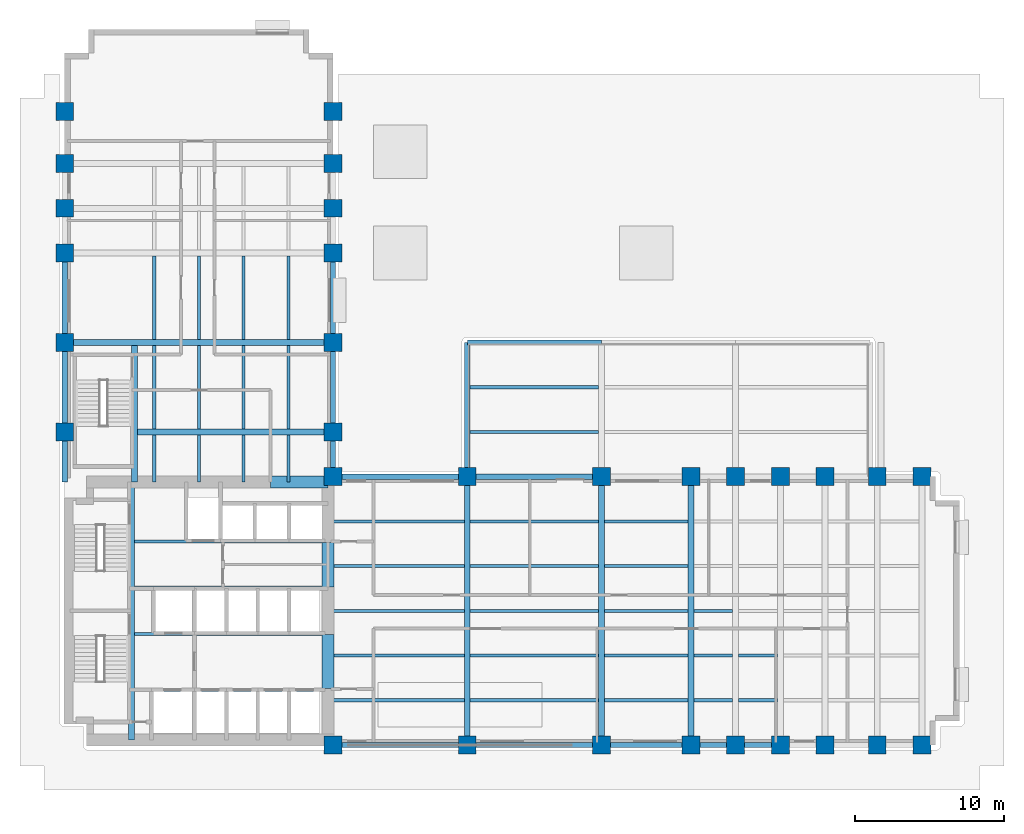
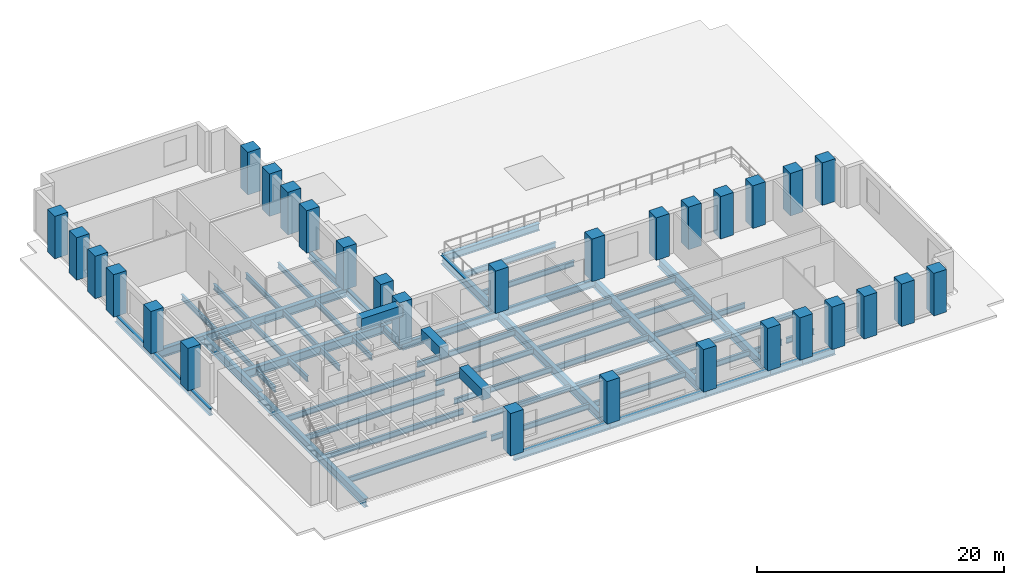
# One storey, part 1 of 9: 63 beams, 30 columns.
"""IFC4 building model written with IfcOpenShell, lengths in metres."""

from ifc_helpers import new_model, si_unit, direction, frame, origin, origin_2d, place, context, subcontext, project, spatial, rectangle, i_section, extrude, material, material_profile, profile_set, type_object, element, save


model = new_model("IFC4")

# Units and contexts
model_context = context("Model", 3, precision=1e-05, world=origin(), true_north=direction((0.0, 1.0)))
body_context = subcontext(model_context, "Body", "Model", "MODEL_VIEW")
ifc_project = project(units=[si_unit("LENGTHUNIT", "METRE"), si_unit("AREAUNIT", "SQUARE_METRE"), si_unit("VOLUMEUNIT", "CUBIC_METRE"), si_unit("PLANEANGLEUNIT", "RADIAN"), si_unit("MASSUNIT", "GRAM", prefix="KILO")], contexts=[model_context])

# Site, building, storey
site_placement = place(None, origin())
site = spatial("IfcSite", under=ifc_project, at=site_placement, CompositionType="ELEMENT")
building_placement = place(site_placement, origin())
building = spatial("IfcBuilding", under=site, at=building_placement, Name="Mawjdan Bourse Tower", CompositionType="ELEMENT")
storey_placement = place(building_placement, frame((0.0, 0.0, 21.60009765625)))
storey = spatial("IfcBuildingStorey", under=building, at=storey_placement, Name="L04", CompositionType="ELEMENT", Elevation=21.60009765625)

# Columns
ifc_material_1 = material(Name="Concrete C80/95", Category="concrete")
ifc_material_profile_1 = material_profile(ifc_material_1, rectangle(XDim=1.199951171875, YDim=1.199951171875, at=origin_2d()), Name="RC1200X1200")
ifc_profile_set_1 = profile_set([ifc_material_profile_1], Name="Concrete C80/95")
column_type = type_object("IfcColumnType", Name="COL-RC1200X1200", PredefinedType="COLUMN", material=ifc_profile_set_1)
for number, where, z_axis, x_axis, name in (
    (1, (24.0, 3.0, 0.0), (0.0, 0.0, 1.0), (1.0, 0.0, 0.0), "L04 Structural Column C-X240-Y30"),
    (2, (24.0, 21.0, 0.0), (0.0, 0.0, 1.0), (1.0, 0.0, 0.0), "L04 Structural Column C-X240-Y210"),
    (3, (33.0, 3.0, 0.0), (0.0, 0.0, 1.0), (1.0, 0.0, 0.0), "L04 Structural Column C-X330-Y30"),
    (4, (33.0, 21.0, 0.0), (0.0, 0.0, 1.0), (1.0, 0.0, 0.0), "L04 Structural Column C-X330-Y210"),
    (5, (42.0, 3.0, 0.0), (0.0, 0.0, 1.0), (1.0, 0.0, 0.0), "L04 Structural Column C-X420-Y30"),
    (6, (42.0, 21.0, 0.0), (0.0, 0.0, 1.0), (1.0, 0.0, 0.0), "L04 Structural Column C-X420-Y210"),
    (7, (48.0, 3.0, 0.0), (0.0, 0.0, 1.0), (1.0, 0.0, 0.0), "L04 Structural Column C-X480-Y30"),
    (8, (48.0, 21.0, 0.0), (0.0, 0.0, 1.0), (1.0, 0.0, 0.0), "L04 Structural Column C-X480-Y210"),
    (9, (51.0, 3.0, 0.0), (0.0, 0.0, 1.0), (1.0, 0.0, 0.0), "L04 Structural Column C-X510-Y30"),
    (10, (51.0, 21.0, 0.0), (0.0, 0.0, 1.0), (1.0, 0.0, 0.0), "L04 Structural Column C-X510-Y210"),
    (11, (54.0, 3.0, 0.0), (0.0, 0.0, 1.0), (1.0, 0.0, 0.0), "L04 Structural Column C-X540-Y30"),
    (12, (54.0, 21.0, 0.0), (0.0, 0.0, 1.0), (1.0, 0.0, 0.0), "L04 Structural Column C-X540-Y210"),
    (13, (57.0, 3.0, 0.0), (0.0, 0.0, 1.0), (1.0, 0.0, 0.0), "L04 Structural Column C-X570-Y30"),
    (14, (57.0, 21.0, 0.0), (0.0, 0.0, 1.0), (1.0, 0.0, 0.0), "L04 Structural Column C-X570-Y210"),
    (15, (60.5, 3.0, 0.0), (0.0, 0.0, 1.0), (1.0, 0.0, 0.0), "L04 Structural Column C-X605-Y30"),
    (16, (60.5, 21.0, 0.0), (0.0, 0.0, 1.0), (1.0, 0.0, 0.0), "L04 Structural Column C-X605-Y210"),
    (17, (63.5, 3.0, 0.0), (0.0, 0.0, 1.0), (1.0, 0.0, 0.0), "L04 Structural Column C-X635-Y30"),
    (18, (63.5, 21.0, 0.0), (0.0, 0.0, 1.0), (1.0, 0.0, 0.0), "L04 Structural Column C-X635-Y210"),
    (19, (6.0, 24.0, 0.0), (0.0, 0.0, 1.0), (1.0, 0.0, 0.0), "L04 Structural Column C-X60-Y240"),
    (20, (24.0, 24.0, 0.0), (0.0, 0.0, 1.0), (1.0, 0.0, 0.0), "L04 Structural Column C-X240-Y240"),
    (21, (6.0, 30.0, 0.0), (0.0, 0.0, 1.0), (1.0, 0.0, 0.0), "L04 Structural Column C-X60-Y300"),
    (22, (24.0, 30.0, 0.0), (0.0, 0.0, 1.0), (1.0, 0.0, 0.0), "L04 Structural Column C-X240-Y300"),
    (23, (6.0, 36.0, 0.0), (0.0, 0.0, 1.0), (1.0, 0.0, 0.0), "L04 Structural Column C-X60-Y360"),
    (24, (24.0, 36.0, 0.0), (0.0, 0.0, 1.0), (1.0, 0.0, 0.0), "L04 Structural Column C-X240-Y360"),
    (25, (6.0, 39.0, 0.0), (0.0, 0.0, 1.0), (1.0, 0.0, 0.0), "L04 Structural Column C-X60-Y390"),
    (26, (24.0, 39.0, 0.0), (0.0, 0.0, 1.0), (1.0, 0.0, 0.0), "L04 Structural Column C-X240-Y390"),
    (27, (6.0, 42.0, 0.0), (0.0, 0.0, 1.0), (1.0, 0.0, 0.0), "L04 Structural Column C-X60-Y420"),
    (28, (24.0, 42.0, 0.0), (0.0, 0.0, 1.0), (1.0, 0.0, 0.0), "L04 Structural Column C-X240-Y420"),
    (29, (6.0, 45.5, 0.0), (0.0, 0.0, 1.0), (1.0, 0.0, 0.0), "L04 Structural Column C-X60-Y455"),
    (30, (24.0, 45.5, 0.0), (0.0, 0.0, 1.0), (1.0, 0.0, 0.0), "L04 Structural Column C-X240-Y455"),
):
    element("IfcColumn", number, at=place(storey_placement, frame(where, z_axis=z_axis, x_axis=x_axis)), inside=storey, type_object=column_type, Name=name, PredefinedType="COLUMN", context=body_context, shape_type="SweptSolid", body=[
        extrude(rectangle(XDim=1.199951171875, YDim=1.199951171875, at=origin_2d()), origin(), (0.0, 0.0, 1.0), 4.199951171875),
    ])

# Beams
ifc_material_2 = material(Name="Structural Steel S355", Category="steel")
ifc_material_profile_2 = material_profile(ifc_material_2, i_section(OverallWidth=0.39892578125, OverallDepth=0.85595703125, WebThickness=0.018310546875, FlangeThickness=0.029296875, FilletRadius=0.0234375, at=origin_2d()), Name="W33X201")
ifc_profile_set_2 = profile_set([ifc_material_profile_2], Name="Structural Steel S355")
beam_type_1 = type_object("IfcBeamType", Name="GRD-W33X201", PredefinedType="BEAM", material=ifc_profile_set_2)
beam_1_placement = place(storey_placement, frame((10.47998046875, 3.35009765625, -0.648193359375), z_axis=(0.0, 1.0, 0.0), x_axis=(-1.0, 0.0, 0.0)))
element("IfcBeam", 31, at=beam_1_placement, inside=storey, type_object=beam_type_1, Name="L04 Core Stair Trimmer Girder 001", PredefinedType="BEAM", context=body_context, shape_type="SweptSolid", body=[
    extrude(i_section(OverallWidth=0.39892578125, OverallDepth=0.85595703125, WebThickness=0.018310546875, FlangeThickness=0.029296875, FilletRadius=0.0234375, at=origin_2d()), origin(), (0.0, 0.0, 1.0), 17.2998046875),
])
for number, where, z_axis, x_axis, name in (
    (32, (33.0, 3.0, -0.648193359375), (0.0, 1.0, 0.0), (-1.0, 0.0, 0.0), "L04 East Wing Clear-Span Girder 002"),
    (33, (42.0, 3.0, -0.648193359375), (0.0, 1.0, 0.0), (-1.0, 0.0, 0.0), "L04 East Wing Clear-Span Girder 003"),
    (34, (48.0, 3.0, -0.648193359375), (0.0, 1.0, 0.0), (-1.0, 0.0, 0.0), "L04 East Wing Clear-Span Girder 004"),
):
    element("IfcBeam", number, at=place(storey_placement, frame(where, z_axis=z_axis, x_axis=x_axis)), inside=storey, type_object=beam_type_1, Name=name, PredefinedType="BEAM", context=body_context, shape_type="SweptSolid", body=[
        extrude(i_section(OverallWidth=0.39892578125, OverallDepth=0.85595703125, WebThickness=0.018310546875, FlangeThickness=0.029296875, FilletRadius=0.0234375, at=origin_2d()), origin(), (0.0, 0.0, 1.0), 18.0),
    ])
beam_2_placement = place(storey_placement, frame((10.679931640625, 20.64990234375, -0.648193359375), z_axis=(0.0, 1.0, 0.0), x_axis=(-1.0, 0.0, 0.0)))
element("IfcBeam", 35, at=beam_2_placement, inside=storey, type_object=beam_type_1, Name="L04 North Wing Stair Trimmer Girder 070", PredefinedType="BEAM", context=body_context, shape_type="SweptSolid", body=[
    extrude(i_section(OverallWidth=0.39892578125, OverallDepth=0.85595703125, WebThickness=0.018310546875, FlangeThickness=0.029296875, FilletRadius=0.0234375, at=origin_2d()), origin(), (0.0, 0.0, 1.0), 9.152587890625),
])
beam_3_placement = place(storey_placement, frame((10.87744140625, 24.0, -0.648193359375), z_axis=(1.0, 0.0, 0.0), x_axis=(0.0, 1.0, 0.0)))
element("IfcBeam", 36, at=beam_3_placement, inside=storey, type_object=beam_type_1, Name="L04 North Wing Clear-Span Girder 071", PredefinedType="BEAM", context=body_context, shape_type="SweptSolid", body=[
    extrude(i_section(OverallWidth=0.39892578125, OverallDepth=0.85595703125, WebThickness=0.018310546875, FlangeThickness=0.029296875, FilletRadius=0.0234375, at=origin_2d()), origin(), (0.0, 0.0, 1.0), 13.12255859375),
])
beam_4_placement = place(storey_placement, frame((6.0, 30.0, -0.648193359375), z_axis=(1.0, 0.0, 0.0), x_axis=(0.0, 1.0, 0.0)))
element("IfcBeam", 37, at=beam_4_placement, inside=storey, type_object=beam_type_1, Name="L04 North Wing Clear-Span Girder 072", PredefinedType="BEAM", context=body_context, shape_type="SweptSolid", body=[
    extrude(i_section(OverallWidth=0.39892578125, OverallDepth=0.85595703125, WebThickness=0.018310546875, FlangeThickness=0.029296875, FilletRadius=0.0234375, at=origin_2d()), origin(), (0.0, 0.0, 1.0), 18.0),
])
beam_5_placement = place(storey_placement, frame((33.0, 21.0, -0.59814453125), z_axis=(0.0, 1.0, 0.0), x_axis=(-1.0, 0.0, 0.0)))
element("IfcBeam", 38, at=beam_5_placement, inside=storey, type_object=beam_type_1, Name="L04 L04 Terrace Transverse Girder 109", PredefinedType="BEAM", context=body_context, shape_type="SweptSolid", body=[
    extrude(i_section(OverallWidth=0.39892578125, OverallDepth=0.85595703125, WebThickness=0.018310546875, FlangeThickness=0.029296875, FilletRadius=0.0234375, at=origin_2d()), origin(), (0.0, 0.0, 1.0), 9.0),
])
ifc_material_profile_3 = material_profile(ifc_material_2, i_section(OverallWidth=0.2119140625, OverallDepth=0.5439453125, WebThickness=0.01318359375, FlangeThickness=0.021240234375, FilletRadius=0.01708984375, at=origin_2d()), Name="W21X83")
ifc_profile_set_3 = profile_set([ifc_material_profile_3], Name="Structural Steel S355")
beam_type_2 = type_object("IfcBeamType", Name="JST-W21X83", PredefinedType="JOIST", material=ifc_profile_set_3)
beam_6_placement = place(storey_placement, frame((23.64990234375, 6.0, -0.4921875), z_axis=(1.0, 0.0, 0.0), x_axis=(0.0, 1.0, 0.0)))
element("IfcBeam", 39, at=beam_6_placement, inside=storey, type_object=beam_type_2, Name="L04 East Wing Composite Joist 026", PredefinedType="JOIST", context=body_context, shape_type="SweptSolid", body=[
    extrude(i_section(OverallWidth=0.2119140625, OverallDepth=0.5439453125, WebThickness=0.01318359375, FlangeThickness=0.021240234375, FilletRadius=0.01708984375, at=origin_2d()), origin(), (0.0, 0.0, 1.0), 9.152587890625),
])
beam_7_placement = place(storey_placement, frame((33.197509765625, 6.0, -0.4921875), z_axis=(1.0, 0.0, 0.0), x_axis=(0.0, 1.0, 0.0)))
element("IfcBeam", 40, at=beam_7_placement, inside=storey, type_object=beam_type_2, Name="L04 East Wing Composite Joist 027", PredefinedType="JOIST", context=body_context, shape_type="SweptSolid", body=[
    extrude(i_section(OverallWidth=0.2119140625, OverallDepth=0.5439453125, WebThickness=0.01318359375, FlangeThickness=0.021240234375, FilletRadius=0.01708984375, at=origin_2d()), origin(), (0.0, 0.0, 1.0), 8.60498046875),
])
beam_8_placement = place(storey_placement, frame((42.197509765625, 6.0, -0.4921875), z_axis=(1.0, 0.0, 0.0), x_axis=(0.0, 1.0, 0.0)))
element("IfcBeam", 41, at=beam_8_placement, inside=storey, type_object=beam_type_2, Name="L04 East Wing Composite Joist 028", PredefinedType="JOIST", context=body_context, shape_type="SweptSolid", body=[
    extrude(i_section(OverallWidth=0.2119140625, OverallDepth=0.5439453125, WebThickness=0.01318359375, FlangeThickness=0.021240234375, FilletRadius=0.01708984375, at=origin_2d()), origin(), (0.0, 0.0, 1.0), 5.60498046875),
])
for number, where, z_axis, x_axis, name in (
    (42, (48.197509765625, 6.0, -0.4921875), (1.0, 0.0, 0.0), (0.0, 1.0, 0.0), "L04 East Wing Composite Joist 029"),
    (43, (51.197509765625, 6.0, -0.4921875), (1.0, 0.0, 0.0), (0.0, 1.0, 0.0), "L04 East Wing Composite Joist 030"),
):
    element("IfcBeam", number, at=place(storey_placement, frame(where, z_axis=z_axis, x_axis=x_axis)), inside=storey, type_object=beam_type_2, Name=name, PredefinedType="JOIST", context=body_context, shape_type="SweptSolid", body=[
        extrude(i_section(OverallWidth=0.2119140625, OverallDepth=0.5439453125, WebThickness=0.01318359375, FlangeThickness=0.021240234375, FilletRadius=0.01708984375, at=origin_2d()), origin(), (0.0, 0.0, 1.0), 2.60498046875),
    ])
beam_9_placement = place(storey_placement, frame((23.64990234375, 9.0, -0.4921875), z_axis=(1.0, 0.0, 0.0), x_axis=(0.0, 1.0, 0.0)))
element("IfcBeam", 44, at=beam_9_placement, inside=storey, type_object=beam_type_2, Name="L04 East Wing Composite Joist 034", PredefinedType="JOIST", context=body_context, shape_type="SweptSolid", body=[
    extrude(i_section(OverallWidth=0.2119140625, OverallDepth=0.5439453125, WebThickness=0.01318359375, FlangeThickness=0.021240234375, FilletRadius=0.01708984375, at=origin_2d()), origin(), (0.0, 0.0, 1.0), 9.152587890625),
])
beam_10_placement = place(storey_placement, frame((33.197509765625, 9.0, -0.4921875), z_axis=(1.0, 0.0, 0.0), x_axis=(0.0, 1.0, 0.0)))
element("IfcBeam", 45, at=beam_10_placement, inside=storey, type_object=beam_type_2, Name="L04 East Wing Composite Joist 035", PredefinedType="JOIST", context=body_context, shape_type="SweptSolid", body=[
    extrude(i_section(OverallWidth=0.2119140625, OverallDepth=0.5439453125, WebThickness=0.01318359375, FlangeThickness=0.021240234375, FilletRadius=0.01708984375, at=origin_2d()), origin(), (0.0, 0.0, 1.0), 8.60498046875),
])
beam_11_placement = place(storey_placement, frame((42.197509765625, 9.0, -0.4921875), z_axis=(1.0, 0.0, 0.0), x_axis=(0.0, 1.0, 0.0)))
element("IfcBeam", 46, at=beam_11_placement, inside=storey, type_object=beam_type_2, Name="L04 East Wing Composite Joist 036", PredefinedType="JOIST", context=body_context, shape_type="SweptSolid", body=[
    extrude(i_section(OverallWidth=0.2119140625, OverallDepth=0.5439453125, WebThickness=0.01318359375, FlangeThickness=0.021240234375, FilletRadius=0.01708984375, at=origin_2d()), origin(), (0.0, 0.0, 1.0), 5.60498046875),
])
for number, where, z_axis, x_axis, name in (
    (47, (48.197509765625, 9.0, -0.4921875), (1.0, 0.0, 0.0), (0.0, 1.0, 0.0), "L04 East Wing Composite Joist 037"),
    (48, (51.197509765625, 9.0, -0.4921875), (1.0, 0.0, 0.0), (0.0, 1.0, 0.0), "L04 East Wing Composite Joist 038"),
):
    element("IfcBeam", number, at=place(storey_placement, frame(where, z_axis=z_axis, x_axis=x_axis)), inside=storey, type_object=beam_type_2, Name=name, PredefinedType="JOIST", context=body_context, shape_type="SweptSolid", body=[
        extrude(i_section(OverallWidth=0.2119140625, OverallDepth=0.5439453125, WebThickness=0.01318359375, FlangeThickness=0.021240234375, FilletRadius=0.01708984375, at=origin_2d()), origin(), (0.0, 0.0, 1.0), 2.60498046875),
    ])
beam_12_placement = place(storey_placement, frame((23.64990234375, 12.0, -0.4921875), z_axis=(1.0, 0.0, 0.0), x_axis=(0.0, 1.0, 0.0)))
element("IfcBeam", 49, at=beam_12_placement, inside=storey, type_object=beam_type_2, Name="L04 East Wing Composite Joist 042", PredefinedType="JOIST", context=body_context, shape_type="SweptSolid", body=[
    extrude(i_section(OverallWidth=0.2119140625, OverallDepth=0.5439453125, WebThickness=0.01318359375, FlangeThickness=0.021240234375, FilletRadius=0.01708984375, at=origin_2d()), origin(), (0.0, 0.0, 1.0), 9.152587890625),
])
beam_13_placement = place(storey_placement, frame((33.197509765625, 12.0, -0.4921875), z_axis=(1.0, 0.0, 0.0), x_axis=(0.0, 1.0, 0.0)))
element("IfcBeam", 50, at=beam_13_placement, inside=storey, type_object=beam_type_2, Name="L04 East Wing Composite Joist 043", PredefinedType="JOIST", context=body_context, shape_type="SweptSolid", body=[
    extrude(i_section(OverallWidth=0.2119140625, OverallDepth=0.5439453125, WebThickness=0.01318359375, FlangeThickness=0.021240234375, FilletRadius=0.01708984375, at=origin_2d()), origin(), (0.0, 0.0, 1.0), 8.60498046875),
])
beam_14_placement = place(storey_placement, frame((42.197509765625, 12.0, -0.4921875), z_axis=(1.0, 0.0, 0.0), x_axis=(0.0, 1.0, 0.0)))
element("IfcBeam", 51, at=beam_14_placement, inside=storey, type_object=beam_type_2, Name="L04 East Wing Composite Joist 044", PredefinedType="JOIST", context=body_context, shape_type="SweptSolid", body=[
    extrude(i_section(OverallWidth=0.2119140625, OverallDepth=0.5439453125, WebThickness=0.01318359375, FlangeThickness=0.021240234375, FilletRadius=0.01708984375, at=origin_2d()), origin(), (0.0, 0.0, 1.0), 5.60498046875),
])
beam_15_placement = place(storey_placement, frame((48.197509765625, 12.0, -0.4921875), z_axis=(1.0, 0.0, 0.0), x_axis=(0.0, 1.0, 0.0)))
element("IfcBeam", 52, at=beam_15_placement, inside=storey, type_object=beam_type_2, Name="L04 East Wing Composite Joist 045", PredefinedType="JOIST", context=body_context, shape_type="SweptSolid", body=[
    extrude(i_section(OverallWidth=0.2119140625, OverallDepth=0.5439453125, WebThickness=0.01318359375, FlangeThickness=0.021240234375, FilletRadius=0.01708984375, at=origin_2d()), origin(), (0.0, 0.0, 1.0), 2.60498046875),
])
beam_16_placement = place(storey_placement, frame((23.64990234375, 15.0, -0.4921875), z_axis=(1.0, 0.0, 0.0), x_axis=(0.0, 1.0, 0.0)))
element("IfcBeam", 53, at=beam_16_placement, inside=storey, type_object=beam_type_2, Name="L04 East Wing Composite Joist 050", PredefinedType="JOIST", context=body_context, shape_type="SweptSolid", body=[
    extrude(i_section(OverallWidth=0.2119140625, OverallDepth=0.5439453125, WebThickness=0.01318359375, FlangeThickness=0.021240234375, FilletRadius=0.01708984375, at=origin_2d()), origin(), (0.0, 0.0, 1.0), 9.152587890625),
])
beam_17_placement = place(storey_placement, frame((33.197509765625, 15.0, -0.4921875), z_axis=(1.0, 0.0, 0.0), x_axis=(0.0, 1.0, 0.0)))
element("IfcBeam", 54, at=beam_17_placement, inside=storey, type_object=beam_type_2, Name="L04 East Wing Composite Joist 051", PredefinedType="JOIST", context=body_context, shape_type="SweptSolid", body=[
    extrude(i_section(OverallWidth=0.2119140625, OverallDepth=0.5439453125, WebThickness=0.01318359375, FlangeThickness=0.021240234375, FilletRadius=0.01708984375, at=origin_2d()), origin(), (0.0, 0.0, 1.0), 8.60498046875),
])
beam_18_placement = place(storey_placement, frame((42.197509765625, 15.0, -0.4921875), z_axis=(1.0, 0.0, 0.0), x_axis=(0.0, 1.0, 0.0)))
element("IfcBeam", 55, at=beam_18_placement, inside=storey, type_object=beam_type_2, Name="L04 East Wing Composite Joist 052", PredefinedType="JOIST", context=body_context, shape_type="SweptSolid", body=[
    extrude(i_section(OverallWidth=0.2119140625, OverallDepth=0.5439453125, WebThickness=0.01318359375, FlangeThickness=0.021240234375, FilletRadius=0.01708984375, at=origin_2d()), origin(), (0.0, 0.0, 1.0), 5.60498046875),
])
beam_19_placement = place(storey_placement, frame((23.64990234375, 18.0, -0.4921875), z_axis=(1.0, 0.0, 0.0), x_axis=(0.0, 1.0, 0.0)))
element("IfcBeam", 56, at=beam_19_placement, inside=storey, type_object=beam_type_2, Name="L04 East Wing Composite Joist 058", PredefinedType="JOIST", context=body_context, shape_type="SweptSolid", body=[
    extrude(i_section(OverallWidth=0.2119140625, OverallDepth=0.5439453125, WebThickness=0.01318359375, FlangeThickness=0.021240234375, FilletRadius=0.01708984375, at=origin_2d()), origin(), (0.0, 0.0, 1.0), 9.152587890625),
])
beam_20_placement = place(storey_placement, frame((33.197509765625, 18.0, -0.4921875), z_axis=(1.0, 0.0, 0.0), x_axis=(0.0, 1.0, 0.0)))
element("IfcBeam", 57, at=beam_20_placement, inside=storey, type_object=beam_type_2, Name="L04 East Wing Composite Joist 059", PredefinedType="JOIST", context=body_context, shape_type="SweptSolid", body=[
    extrude(i_section(OverallWidth=0.2119140625, OverallDepth=0.5439453125, WebThickness=0.01318359375, FlangeThickness=0.021240234375, FilletRadius=0.01708984375, at=origin_2d()), origin(), (0.0, 0.0, 1.0), 8.60498046875),
])
beam_21_placement = place(storey_placement, frame((42.197509765625, 18.0, -0.4921875), z_axis=(1.0, 0.0, 0.0), x_axis=(0.0, 1.0, 0.0)))
element("IfcBeam", 58, at=beam_21_placement, inside=storey, type_object=beam_type_2, Name="L04 East Wing Composite Joist 060", PredefinedType="JOIST", context=body_context, shape_type="SweptSolid", body=[
    extrude(i_section(OverallWidth=0.2119140625, OverallDepth=0.5439453125, WebThickness=0.01318359375, FlangeThickness=0.021240234375, FilletRadius=0.01708984375, at=origin_2d()), origin(), (0.0, 0.0, 1.0), 5.60498046875),
])
for number, where, z_axis, x_axis, name in (
    (59, (10.677490234375, 6.699951171875, -0.4921875), (1.0, 0.0, 0.0), (0.0, 1.0, 0.0), "L04 Core Floor Joist 066"),
    (60, (10.677490234375, 10.449951171875, -0.4921875), (1.0, 0.0, 0.0), (0.0, 1.0, 0.0), "L04 Core Floor Joist 067"),
    (61, (10.677490234375, 13.550048828125, -0.4921875), (1.0, 0.0, 0.0), (0.0, 1.0, 0.0), "L04 Core Floor Joist 068"),
    (62, (10.677490234375, 16.64990234375, -0.4921875), (1.0, 0.0, 0.0), (0.0, 1.0, 0.0), "L04 Core Floor Joist 069"),
):
    element("IfcBeam", number, at=place(storey_placement, frame(where, z_axis=z_axis, x_axis=x_axis)), inside=storey, type_object=beam_type_2, Name=name, PredefinedType="JOIST", context=body_context, shape_type="SweptSolid", body=[
        extrude(i_section(OverallWidth=0.2119140625, OverallDepth=0.5439453125, WebThickness=0.01318359375, FlangeThickness=0.021240234375, FilletRadius=0.01708984375, at=origin_2d()), origin(), (0.0, 0.0, 1.0), 12.972412109375),
    ])
beam_22_placement = place(storey_placement, frame((12.0, 20.64990234375, -0.4921875), z_axis=(0.0, 1.0, 0.0), x_axis=(-1.0, 0.0, 0.0)))
element("IfcBeam", 63, at=beam_22_placement, inside=storey, type_object=beam_type_2, Name="L04 North Wing Composite Joist 086", PredefinedType="JOIST", context=body_context, shape_type="SweptSolid", body=[
    extrude(i_section(OverallWidth=0.2119140625, OverallDepth=0.5439453125, WebThickness=0.01318359375, FlangeThickness=0.021240234375, FilletRadius=0.01708984375, at=origin_2d()), origin(), (0.0, 0.0, 1.0), 3.152587890625),
])
for number, where, z_axis, x_axis, name in (
    (64, (12.0, 24.197509765625, -0.4921875), (0.0, 1.0, 0.0), (-1.0, 0.0, 0.0), "L04 North Wing Composite Joist 087"),
    (65, (12.0, 30.197509765625, -0.4921875), (0.0, 1.0, 0.0), (-1.0, 0.0, 0.0), "L04 North Wing Composite Joist 088"),
):
    element("IfcBeam", number, at=place(storey_placement, frame(where, z_axis=z_axis, x_axis=x_axis)), inside=storey, type_object=beam_type_2, Name=name, PredefinedType="JOIST", context=body_context, shape_type="SweptSolid", body=[
        extrude(i_section(OverallWidth=0.2119140625, OverallDepth=0.5439453125, WebThickness=0.01318359375, FlangeThickness=0.021240234375, FilletRadius=0.01708984375, at=origin_2d()), origin(), (0.0, 0.0, 1.0), 5.60498046875),
    ])
beam_23_placement = place(storey_placement, frame((15.0, 20.64990234375, -0.4921875), z_axis=(0.0, 1.0, 0.0), x_axis=(-1.0, 0.0, 0.0)))
element("IfcBeam", 66, at=beam_23_placement, inside=storey, type_object=beam_type_2, Name="L04 North Wing Composite Joist 091", PredefinedType="JOIST", context=body_context, shape_type="SweptSolid", body=[
    extrude(i_section(OverallWidth=0.2119140625, OverallDepth=0.5439453125, WebThickness=0.01318359375, FlangeThickness=0.021240234375, FilletRadius=0.01708984375, at=origin_2d()), origin(), (0.0, 0.0, 1.0), 3.152587890625),
])
for number, where, z_axis, x_axis, name in (
    (67, (15.0, 24.197509765625, -0.4921875), (0.0, 1.0, 0.0), (-1.0, 0.0, 0.0), "L04 North Wing Composite Joist 092"),
    (68, (15.0, 30.197509765625, -0.4921875), (0.0, 1.0, 0.0), (-1.0, 0.0, 0.0), "L04 North Wing Composite Joist 093"),
):
    element("IfcBeam", number, at=place(storey_placement, frame(where, z_axis=z_axis, x_axis=x_axis)), inside=storey, type_object=beam_type_2, Name=name, PredefinedType="JOIST", context=body_context, shape_type="SweptSolid", body=[
        extrude(i_section(OverallWidth=0.2119140625, OverallDepth=0.5439453125, WebThickness=0.01318359375, FlangeThickness=0.021240234375, FilletRadius=0.01708984375, at=origin_2d()), origin(), (0.0, 0.0, 1.0), 5.60498046875),
    ])
beam_24_placement = place(storey_placement, frame((18.0, 20.64990234375, -0.4921875), z_axis=(0.0, 1.0, 0.0), x_axis=(-1.0, 0.0, 0.0)))
element("IfcBeam", 69, at=beam_24_placement, inside=storey, type_object=beam_type_2, Name="L04 North Wing Composite Joist 096", PredefinedType="JOIST", context=body_context, shape_type="SweptSolid", body=[
    extrude(i_section(OverallWidth=0.2119140625, OverallDepth=0.5439453125, WebThickness=0.01318359375, FlangeThickness=0.021240234375, FilletRadius=0.01708984375, at=origin_2d()), origin(), (0.0, 0.0, 1.0), 3.152587890625),
])
for number, where, z_axis, x_axis, name in (
    (70, (18.0, 24.197509765625, -0.4921875), (0.0, 1.0, 0.0), (-1.0, 0.0, 0.0), "L04 North Wing Composite Joist 097"),
    (71, (18.0, 30.197509765625, -0.4921875), (0.0, 1.0, 0.0), (-1.0, 0.0, 0.0), "L04 North Wing Composite Joist 098"),
):
    element("IfcBeam", number, at=place(storey_placement, frame(where, z_axis=z_axis, x_axis=x_axis)), inside=storey, type_object=beam_type_2, Name=name, PredefinedType="JOIST", context=body_context, shape_type="SweptSolid", body=[
        extrude(i_section(OverallWidth=0.2119140625, OverallDepth=0.5439453125, WebThickness=0.01318359375, FlangeThickness=0.021240234375, FilletRadius=0.01708984375, at=origin_2d()), origin(), (0.0, 0.0, 1.0), 5.60498046875),
    ])
beam_25_placement = place(storey_placement, frame((21.0, 20.64990234375, -0.4921875), z_axis=(0.0, 1.0, 0.0), x_axis=(-1.0, 0.0, 0.0)))
element("IfcBeam", 72, at=beam_25_placement, inside=storey, type_object=beam_type_2, Name="L04 North Wing Composite Joist 101", PredefinedType="JOIST", context=body_context, shape_type="SweptSolid", body=[
    extrude(i_section(OverallWidth=0.2119140625, OverallDepth=0.5439453125, WebThickness=0.01318359375, FlangeThickness=0.021240234375, FilletRadius=0.01708984375, at=origin_2d()), origin(), (0.0, 0.0, 1.0), 3.152587890625),
])
for number, where, z_axis, x_axis, name in (
    (73, (21.0, 24.197509765625, -0.4921875), (0.0, 1.0, 0.0), (-1.0, 0.0, 0.0), "L04 North Wing Composite Joist 102"),
    (74, (21.0, 30.197509765625, -0.4921875), (0.0, 1.0, 0.0), (-1.0, 0.0, 0.0), "L04 North Wing Composite Joist 103"),
):
    element("IfcBeam", number, at=place(storey_placement, frame(where, z_axis=z_axis, x_axis=x_axis)), inside=storey, type_object=beam_type_2, Name=name, PredefinedType="JOIST", context=body_context, shape_type="SweptSolid", body=[
        extrude(i_section(OverallWidth=0.2119140625, OverallDepth=0.5439453125, WebThickness=0.01318359375, FlangeThickness=0.021240234375, FilletRadius=0.01708984375, at=origin_2d()), origin(), (0.0, 0.0, 1.0), 5.60498046875),
    ])
for number, where, z_axis, x_axis, name in (
    (75, (33.197509765625, 24.0, -0.442138671875), (1.0, 0.0, 0.0), (0.0, 1.0, 0.0), "L04 L04 Terrace Deck Joist 114"),
    (76, (33.197509765625, 27.0, -0.442138671875), (1.0, 0.0, 0.0), (0.0, 1.0, 0.0), "L04 L04 Terrace Deck Joist 117"),
):
    element("IfcBeam", number, at=place(storey_placement, frame(where, z_axis=z_axis, x_axis=x_axis)), inside=storey, type_object=beam_type_2, Name=name, PredefinedType="JOIST", context=body_context, shape_type="SweptSolid", body=[
        extrude(i_section(OverallWidth=0.2119140625, OverallDepth=0.5439453125, WebThickness=0.01318359375, FlangeThickness=0.021240234375, FilletRadius=0.01708984375, at=origin_2d()), origin(), (0.0, 0.0, 1.0), 8.60498046875),
    ])
ifc_material_3 = material(Name="Concrete C70/85", Category="concrete")
ifc_material_profile_4 = material_profile(ifc_material_3, rectangle(XDim=0.800048828125, YDim=1.10009765625, at=origin_2d()), Name="RCB800X1100")
ifc_profile_set_4 = profile_set([ifc_material_profile_4], Name="Concrete C70/85")
beam_type_3 = type_object("IfcBeamType", Name="LNT-RCB800X1100", PredefinedType="LINTEL", material=ifc_profile_set_4)
beam_26_placement = place(storey_placement, frame((23.64990234375, 6.800048828125, 3.429931640625), z_axis=(0.0, 1.0, 0.0), x_axis=(-1.0, 0.0, 0.0)))
element("IfcBeam", 77, at=beam_26_placement, inside=storey, type_object=beam_type_3, Name="L04 Coupled Core Lintel CB-E1", PredefinedType="LINTEL", context=body_context, shape_type="SweptSolid", body=[
    extrude(rectangle(XDim=0.800048828125, YDim=1.10009765625, at=origin_2d()), origin(), (0.0, 0.0, 1.0), 3.599853515625),
])
beam_27_placement = place(storey_placement, frame((23.64990234375, 13.60009765625, 3.429931640625), z_axis=(0.0, 1.0, 0.0), x_axis=(-1.0, 0.0, 0.0)))
element("IfcBeam", 78, at=beam_27_placement, inside=storey, type_object=beam_type_3, Name="L04 Coupled Core Lintel CB-E2", PredefinedType="LINTEL", context=body_context, shape_type="SweptSolid", body=[
    extrude(rectangle(XDim=0.800048828125, YDim=1.10009765625, at=origin_2d()), origin(), (0.0, 0.0, 1.0), 3.0),
])
beam_28_placement = place(storey_placement, frame((19.800048828125, 20.64990234375, 3.429931640625), z_axis=(1.0, 0.0, 0.0), x_axis=(0.0, 1.0, 0.0)))
element("IfcBeam", 79, at=beam_28_placement, inside=storey, type_object=beam_type_3, Name="L04 Coupled Core Lintel CB-N1", PredefinedType="LINTEL", context=body_context, shape_type="SweptSolid", body=[
    extrude(rectangle(XDim=0.800048828125, YDim=1.10009765625, at=origin_2d()), origin(), (0.0, 0.0, 1.0), 3.849853515625),
])
ifc_material_profile_5 = material_profile(ifc_material_2, i_section(OverallWidth=0.35498046875, OverallDepth=0.696044921875, WebThickness=0.015380859375, FlangeThickness=0.02490234375, FilletRadius=0.019775390625, at=origin_2d()), Name="W27X146")
ifc_profile_set_5 = profile_set([ifc_material_profile_5], Name="Structural Steel S355")
beam_type_4 = type_object("IfcBeamType", Name="SPN-W27X146", PredefinedType="SPANDREL", material=ifc_profile_set_5)
for number, where, z_axis, x_axis, name in (
    (80, (24.0, 3.0, -0.608154296875), (1.0, 0.0, 0.0), (0.0, 1.0, 0.0), "L04 Perimeter Masonry-Shelf Spandrel 010"),
    (81, (33.0, 3.0, -0.608154296875), (1.0, 0.0, 0.0), (0.0, 1.0, 0.0), "L04 Perimeter Masonry-Shelf Spandrel 011"),
):
    element("IfcBeam", number, at=place(storey_placement, frame(where, z_axis=z_axis, x_axis=x_axis)), inside=storey, type_object=beam_type_4, Name=name, PredefinedType="SPANDREL", context=body_context, shape_type="SweptSolid", body=[
        extrude(i_section(OverallWidth=0.35498046875, OverallDepth=0.696044921875, WebThickness=0.015380859375, FlangeThickness=0.02490234375, FilletRadius=0.019775390625, at=origin_2d()), origin(), (0.0, 0.0, 1.0), 9.0),
    ])
beam_29_placement = place(storey_placement, frame((42.0, 3.0, -0.608154296875), z_axis=(1.0, 0.0, 0.0), x_axis=(0.0, 1.0, 0.0)))
element("IfcBeam", 82, at=beam_29_placement, inside=storey, type_object=beam_type_4, Name="L04 Perimeter Masonry-Shelf Spandrel 012", PredefinedType="SPANDREL", context=body_context, shape_type="SweptSolid", body=[
    extrude(i_section(OverallWidth=0.35498046875, OverallDepth=0.696044921875, WebThickness=0.015380859375, FlangeThickness=0.02490234375, FilletRadius=0.019775390625, at=origin_2d()), origin(), (0.0, 0.0, 1.0), 6.0),
])
for number, where, z_axis, x_axis, name in (
    (83, (48.0, 3.0, -0.608154296875), (1.0, 0.0, 0.0), (0.0, 1.0, 0.0), "L04 Perimeter Masonry-Shelf Spandrel 013"),
    (84, (51.0, 3.0, -0.608154296875), (1.0, 0.0, 0.0), (0.0, 1.0, 0.0), "L04 Perimeter Masonry-Shelf Spandrel 014"),
):
    element("IfcBeam", number, at=place(storey_placement, frame(where, z_axis=z_axis, x_axis=x_axis)), inside=storey, type_object=beam_type_4, Name=name, PredefinedType="SPANDREL", context=body_context, shape_type="SweptSolid", body=[
        extrude(i_section(OverallWidth=0.35498046875, OverallDepth=0.696044921875, WebThickness=0.015380859375, FlangeThickness=0.02490234375, FilletRadius=0.019775390625, at=origin_2d()), origin(), (0.0, 0.0, 1.0), 3.0),
    ])
for number, where, z_axis, x_axis, name in (
    (85, (24.0, 21.0, -0.608154296875), (1.0, 0.0, 0.0), (0.0, 1.0, 0.0), "L04 Perimeter Masonry-Shelf Spandrel 018"),
    (86, (33.0, 21.0, -0.608154296875), (1.0, 0.0, 0.0), (0.0, 1.0, 0.0), "L04 Perimeter Masonry-Shelf Spandrel 019"),
):
    element("IfcBeam", number, at=place(storey_placement, frame(where, z_axis=z_axis, x_axis=x_axis)), inside=storey, type_object=beam_type_4, Name=name, PredefinedType="SPANDREL", context=body_context, shape_type="SweptSolid", body=[
        extrude(i_section(OverallWidth=0.35498046875, OverallDepth=0.696044921875, WebThickness=0.015380859375, FlangeThickness=0.02490234375, FilletRadius=0.019775390625, at=origin_2d()), origin(), (0.0, 0.0, 1.0), 9.0),
    ])
beam_30_placement = place(storey_placement, frame((6.0, 20.64990234375, -0.608154296875), z_axis=(0.0, 1.0, 0.0), x_axis=(-1.0, 0.0, 0.0)))
element("IfcBeam", 87, at=beam_30_placement, inside=storey, type_object=beam_type_4, Name="L04 North Wing Spandrel 076", PredefinedType="SPANDREL", context=body_context, shape_type="SweptSolid", body=[
    extrude(i_section(OverallWidth=0.35498046875, OverallDepth=0.696044921875, WebThickness=0.015380859375, FlangeThickness=0.02490234375, FilletRadius=0.019775390625, at=origin_2d()), origin(), (0.0, 0.0, 1.0), 3.35009765625),
])
for number, where, z_axis, x_axis, name in (
    (88, (6.0, 24.0, -0.608154296875), (0.0, 1.0, 0.0), (-1.0, 0.0, 0.0), "L04 North Wing Spandrel 077"),
    (89, (6.0, 30.0, -0.608154296875), (0.0, 1.0, 0.0), (-1.0, 0.0, 0.0), "L04 North Wing Spandrel 078"),
):
    element("IfcBeam", number, at=place(storey_placement, frame(where, z_axis=z_axis, x_axis=x_axis)), inside=storey, type_object=beam_type_4, Name=name, PredefinedType="SPANDREL", context=body_context, shape_type="SweptSolid", body=[
        extrude(i_section(OverallWidth=0.35498046875, OverallDepth=0.696044921875, WebThickness=0.015380859375, FlangeThickness=0.02490234375, FilletRadius=0.019775390625, at=origin_2d()), origin(), (0.0, 0.0, 1.0), 6.0),
    ])
beam_31_placement = place(storey_placement, frame((24.0, 21.0, -0.608154296875), z_axis=(0.0, 1.0, 0.0), x_axis=(-1.0, 0.0, 0.0)))
element("IfcBeam", 90, at=beam_31_placement, inside=storey, type_object=beam_type_4, Name="L04 North Wing Spandrel 081", PredefinedType="SPANDREL", context=body_context, shape_type="SweptSolid", body=[
    extrude(i_section(OverallWidth=0.35498046875, OverallDepth=0.696044921875, WebThickness=0.015380859375, FlangeThickness=0.02490234375, FilletRadius=0.019775390625, at=origin_2d()), origin(), (0.0, 0.0, 1.0), 3.0),
])
for number, where, z_axis, x_axis, name in (
    (91, (24.0, 24.0, -0.608154296875), (0.0, 1.0, 0.0), (-1.0, 0.0, 0.0), "L04 North Wing Spandrel 082"),
    (92, (24.0, 30.0, -0.608154296875), (0.0, 1.0, 0.0), (-1.0, 0.0, 0.0), "L04 North Wing Spandrel 083"),
):
    element("IfcBeam", number, at=place(storey_placement, frame(where, z_axis=z_axis, x_axis=x_axis)), inside=storey, type_object=beam_type_4, Name=name, PredefinedType="SPANDREL", context=body_context, shape_type="SweptSolid", body=[
        extrude(i_section(OverallWidth=0.35498046875, OverallDepth=0.696044921875, WebThickness=0.015380859375, FlangeThickness=0.02490234375, FilletRadius=0.019775390625, at=origin_2d()), origin(), (0.0, 0.0, 1.0), 6.0),
    ])
beam_32_placement = place(storey_placement, frame((33.0, 30.0, -0.51806640625), z_axis=(1.0, 0.0, 0.0), x_axis=(0.0, 1.0, 0.0)))
element("IfcBeam", 93, at=beam_32_placement, inside=storey, type_object=beam_type_4, Name="L04 L04 Terrace North Edge Beam 106", PredefinedType="SPANDREL", context=body_context, shape_type="SweptSolid", body=[
    extrude(i_section(OverallWidth=0.35498046875, OverallDepth=0.696044921875, WebThickness=0.015380859375, FlangeThickness=0.02490234375, FilletRadius=0.019775390625, at=origin_2d()), origin(), (0.0, 0.0, 1.0), 9.0),
])

save(model, "model.ifc")
